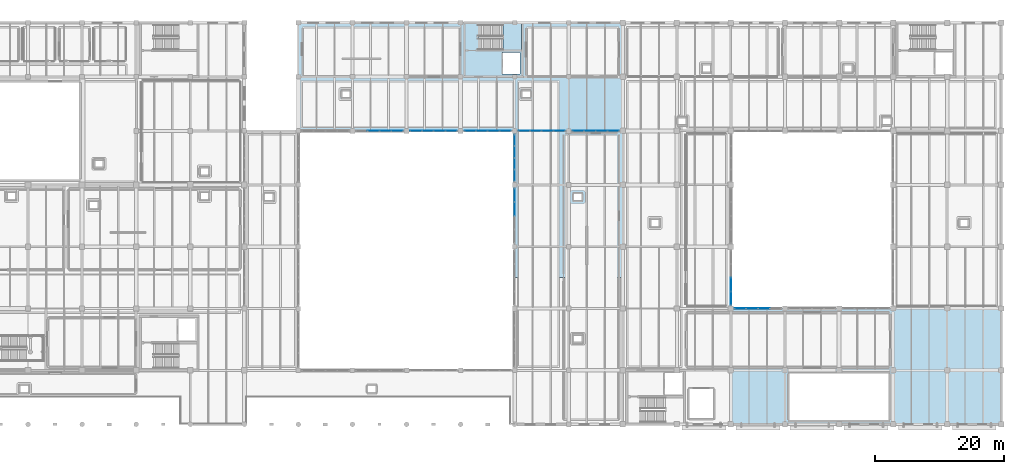
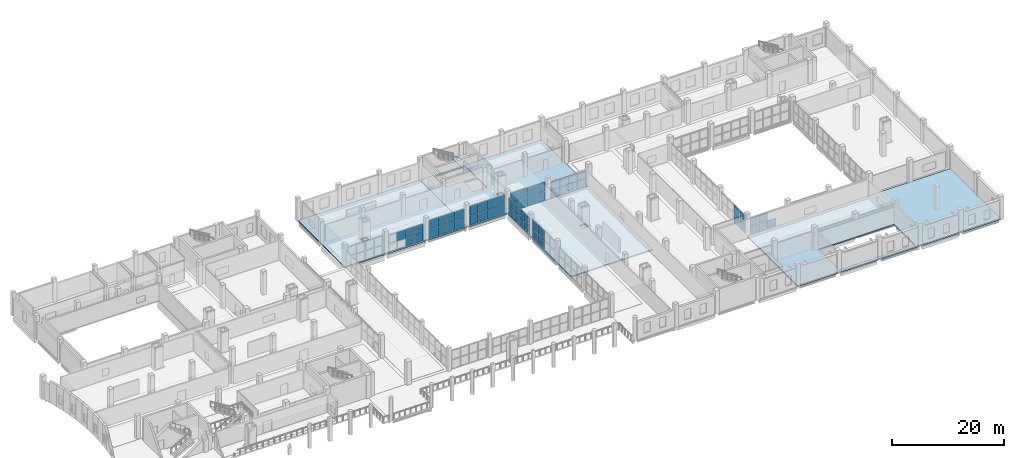
# One storey, part 41 of 66: 58 plates, 5 slabs, 10 elements without a shape of their own.
"""IFC4 building model written with IfcOpenShell, lengths in metres."""

from ifc_helpers import new_model, si_unit, direction, frame, origin, origin_2d, place, context, subcontext, project, spatial, polyline, rectangle, outline, extrude, material, layer, layer_set, type_object, element, aggregate, save


model = new_model("IFC4")

# Units and contexts
model_context = context("Model", 3, precision=1e-05, world=origin(), true_north=direction((0.0, 1.0)))
body_context = subcontext(model_context, "Body", "Model", "MODEL_VIEW")
ifc_project = project(units=[si_unit("LENGTHUNIT", "METRE"), si_unit("AREAUNIT", "SQUARE_METRE"), si_unit("VOLUMEUNIT", "CUBIC_METRE"), si_unit("PLANEANGLEUNIT", "RADIAN"), si_unit("MASSUNIT", "GRAM", prefix="KILO")], contexts=[model_context])

# Site, building, storey
site_placement = place(None, origin())
site = spatial("IfcSite", under=ifc_project, at=site_placement, CompositionType="ELEMENT")
building_placement = place(site_placement, origin())
building = spatial("IfcBuilding", under=site, at=building_placement, Name="Zulmaris Art Gallery", CompositionType="ELEMENT")
storey_placement = place(building_placement, frame((0.0, 0.0, 5.39990234375)))
storey = spatial("IfcBuildingStorey", under=building, at=storey_placement, Name="L01", CompositionType="ELEMENT", Elevation=5.39990234375)

# Curtain wall, plates
ifc_material_1 = material(Name="Unitised Low-E Gallery Curtain Wall", Category="aluminium")
ifc_layer_1 = layer(ifc_material_1, 0.179931640625)
ifc_layer_set_1 = layer_set([ifc_layer_1], Name="Unitised Low-E Gallery Curtain Wall")
curtain_wall_type_1 = type_object("IfcCurtainWallType", Name="CW-CW01", PredefinedType="NOTDEFINED", material=ifc_layer_set_1)
curtain_wall_1_placement = place(storey_placement, origin())
curtain_wall_1 = element("IfcCurtainWall", 1, at=curtain_wall_1_placement, inside=storey, type_object=curtain_wall_type_1, Name="L01 curtain wall 95", PredefinedType="NOTDEFINED")
ifc_material_2 = material(Name="Triple Solar-Control Laminated Glass", Category="glass")
ifc_layer_2 = layer(ifc_material_2, 0.035888671875)
ifc_layer_set_2 = layer_set([ifc_layer_2], Name="Triple Solar-Control Laminated Glass")
plate_type = type_object("IfcPlateType", Name="CWPAN-GLZ", PredefinedType="CURTAIN_PANEL", material=ifc_layer_set_2)
plate_1_placement = place(storey_placement, frame((102.885009765625, 58.800048828125, 1.922607421875), z_axis=(0.0, 0.0, 1.0), x_axis=(1.0, 0.0, 0.0)))
plate_1 = element("IfcPlate", 2, at=plate_1_placement, type_object=plate_type, Name="CW01 panel 2.2", PredefinedType="CURTAIN_PANEL", context=body_context, shape_type="SweptSolid", body=[
    extrude(rectangle(XDim=1.7548828125, YDim=0.031982421875, at=origin_2d()), origin(), (0.0, 0.0, 1.0), 1.7724609375),
])
plate_2_placement = place(storey_placement, frame((104.715087890625, 58.800048828125, 0.0751953125), z_axis=(0.0, 0.0, 1.0), x_axis=(1.0, 0.0, 0.0)))
plate_2 = element("IfcPlate", 3, at=plate_2_placement, type_object=plate_type, Name="CW01 panel 3.1", PredefinedType="CURTAIN_PANEL", context=body_context, shape_type="SweptSolid", body=[
    extrude(rectangle(XDim=1.7548828125, YDim=0.031982421875, at=origin_2d()), origin(), (0.0, 0.0, 1.0), 1.7724609375),
])
plate_3_placement = place(storey_placement, frame((104.715087890625, 58.800048828125, 1.922607421875), z_axis=(0.0, 0.0, 1.0), x_axis=(1.0, 0.0, 0.0)))
plate_3 = element("IfcPlate", 4, at=plate_3_placement, type_object=plate_type, Name="CW01 panel 3.2", PredefinedType="CURTAIN_PANEL", context=body_context, shape_type="SweptSolid", body=[
    extrude(rectangle(XDim=1.7548828125, YDim=0.031982421875, at=origin_2d()), origin(), (0.0, 0.0, 1.0), 1.7724609375),
])
plate_4_placement = place(storey_placement, frame((106.5263671875, 58.800048828125, 0.0751953125), z_axis=(0.0, 0.0, 1.0), x_axis=(1.0, 0.0, 0.0)))
plate_4 = element("IfcPlate", 5, at=plate_4_placement, type_object=plate_type, Name="CW01 panel 4.1", PredefinedType="CURTAIN_PANEL", context=body_context, shape_type="SweptSolid", body=[
    extrude(rectangle(XDim=1.717529296875, YDim=0.031982421875, at=origin_2d()), origin(), (0.0, 0.0, 1.0), 1.7724609375),
])
plate_5_placement = place(storey_placement, frame((106.5263671875, 58.800048828125, 1.922607421875), z_axis=(0.0, 0.0, 1.0), x_axis=(1.0, 0.0, 0.0)))
plate_5 = element("IfcPlate", 6, at=plate_5_placement, type_object=plate_type, Name="CW01 panel 4.2", PredefinedType="CURTAIN_PANEL", context=body_context, shape_type="SweptSolid", body=[
    extrude(rectangle(XDim=1.717529296875, YDim=0.031982421875, at=origin_2d()), origin(), (0.0, 0.0, 1.0), 1.7724609375),
])
aggregate(curtain_wall_1, [plate_1, plate_2, plate_3, plate_4, plate_5])

curtain_wall_2_placement = place(storey_placement, origin())
curtain_wall_2 = element("IfcCurtainWall", 7, at=curtain_wall_2_placement, inside=storey, type_object=curtain_wall_type_1, Name="L01 curtain wall 96", PredefinedType="NOTDEFINED")
plate_6_placement = place(storey_placement, frame((109.4736328125, 58.800048828125, 0.0751953125), z_axis=(0.0, 0.0, 1.0), x_axis=(1.0, 0.0, 0.0)))
plate_6 = element("IfcPlate", 8, at=plate_6_placement, type_object=plate_type, Name="CW01 panel 1.1", PredefinedType="CURTAIN_PANEL", context=body_context, shape_type="SweptSolid", body=[
    extrude(rectangle(XDim=1.717529296875, YDim=0.031982421875, at=origin_2d()), origin(), (0.0, 0.0, 1.0), 1.922607421875),
])
plate_7_placement = place(storey_placement, frame((109.4736328125, 58.800048828125, 2.07275390625), z_axis=(0.0, 0.0, 1.0), x_axis=(1.0, 0.0, 0.0)))
plate_7 = element("IfcPlate", 9, at=plate_7_placement, type_object=plate_type, Name="CW01 panel 1.2", PredefinedType="CURTAIN_PANEL", context=body_context, shape_type="SweptSolid", body=[
    extrude(rectangle(XDim=1.717529296875, YDim=0.031982421875, at=origin_2d()), origin(), (0.0, 0.0, 1.0), 1.922607421875),
])
plate_8_placement = place(storey_placement, frame((111.284912109375, 58.800048828125, 0.0751953125), z_axis=(0.0, 0.0, 1.0), x_axis=(1.0, 0.0, 0.0)))
plate_8 = element("IfcPlate", 10, at=plate_8_placement, type_object=plate_type, Name="CW01 panel 2.1", PredefinedType="CURTAIN_PANEL", context=body_context, shape_type="SweptSolid", body=[
    extrude(rectangle(XDim=1.7548828125, YDim=0.031982421875, at=origin_2d()), origin(), (0.0, 0.0, 1.0), 1.922607421875),
])
plate_9_placement = place(storey_placement, frame((111.284912109375, 58.800048828125, 2.07275390625), z_axis=(0.0, 0.0, 1.0), x_axis=(1.0, 0.0, 0.0)))
plate_9 = element("IfcPlate", 11, at=plate_9_placement, type_object=plate_type, Name="CW01 panel 2.2", PredefinedType="CURTAIN_PANEL", context=body_context, shape_type="SweptSolid", body=[
    extrude(rectangle(XDim=1.7548828125, YDim=0.031982421875, at=origin_2d()), origin(), (0.0, 0.0, 1.0), 1.922607421875),
])
plate_10_placement = place(storey_placement, frame((113.114990234375, 58.800048828125, 0.0751953125), z_axis=(0.0, 0.0, 1.0), x_axis=(1.0, 0.0, 0.0)))
plate_10 = element("IfcPlate", 12, at=plate_10_placement, type_object=plate_type, Name="CW01 panel 3.1", PredefinedType="CURTAIN_PANEL", context=body_context, shape_type="SweptSolid", body=[
    extrude(rectangle(XDim=1.7548828125, YDim=0.031982421875, at=origin_2d()), origin(), (0.0, 0.0, 1.0), 1.922607421875),
])
plate_11_placement = place(storey_placement, frame((113.114990234375, 58.800048828125, 2.07275390625), z_axis=(0.0, 0.0, 1.0), x_axis=(1.0, 0.0, 0.0)))
plate_11 = element("IfcPlate", 13, at=plate_11_placement, type_object=plate_type, Name="CW01 panel 3.2", PredefinedType="CURTAIN_PANEL", context=body_context, shape_type="SweptSolid", body=[
    extrude(rectangle(XDim=1.7548828125, YDim=0.031982421875, at=origin_2d()), origin(), (0.0, 0.0, 1.0), 1.922607421875),
])
plate_12_placement = place(storey_placement, frame((114.92626953125, 58.800048828125, 0.0751953125), z_axis=(0.0, 0.0, 1.0), x_axis=(1.0, 0.0, 0.0)))
plate_12 = element("IfcPlate", 14, at=plate_12_placement, type_object=plate_type, Name="CW01 panel 4.1", PredefinedType="CURTAIN_PANEL", context=body_context, shape_type="SweptSolid", body=[
    extrude(rectangle(XDim=1.717529296875, YDim=0.031982421875, at=origin_2d()), origin(), (0.0, 0.0, 1.0), 1.922607421875),
])
plate_13_placement = place(storey_placement, frame((114.92626953125, 58.800048828125, 2.07275390625), z_axis=(0.0, 0.0, 1.0), x_axis=(1.0, 0.0, 0.0)))
plate_13 = element("IfcPlate", 15, at=plate_13_placement, type_object=plate_type, Name="CW01 panel 4.2", PredefinedType="CURTAIN_PANEL", context=body_context, shape_type="SweptSolid", body=[
    extrude(rectangle(XDim=1.717529296875, YDim=0.031982421875, at=origin_2d()), origin(), (0.0, 0.0, 1.0), 1.922607421875),
])
aggregate(curtain_wall_2, [plate_6, plate_7, plate_8, plate_9, plate_10, plate_11, plate_12, plate_13])

curtain_wall_3_placement = place(storey_placement, origin())
curtain_wall_3 = element("IfcCurtainWall", 16, at=curtain_wall_3_placement, inside=storey, type_object=curtain_wall_type_1, Name="L01 curtain wall 97", PredefinedType="NOTDEFINED")
plate_14_placement = place(storey_placement, frame((117.873779296875, 58.800048828125, 0.0751953125), z_axis=(0.0, 0.0, 1.0), x_axis=(1.0, 0.0, 0.0)))
plate_14 = element("IfcPlate", 17, at=plate_14_placement, type_object=plate_type, Name="CW01 panel 1.1", PredefinedType="CURTAIN_PANEL", context=body_context, shape_type="SweptSolid", body=[
    extrude(rectangle(XDim=1.717529296875, YDim=0.031982421875, at=origin_2d()), origin(), (0.0, 0.0, 1.0), 2.00244140625),
])
plate_15_placement = place(storey_placement, frame((117.873779296875, 58.800048828125, 2.152587890625), z_axis=(0.0, 0.0, 1.0), x_axis=(1.0, 0.0, 0.0)))
plate_15 = element("IfcPlate", 18, at=plate_15_placement, type_object=plate_type, Name="CW01 panel 1.2", PredefinedType="CURTAIN_PANEL", context=body_context, shape_type="SweptSolid", body=[
    extrude(rectangle(XDim=1.717529296875, YDim=0.031982421875, at=origin_2d()), origin(), (0.0, 0.0, 1.0), 2.00244140625),
])
plate_16_placement = place(storey_placement, frame((119.68505859375, 58.800048828125, 0.0751953125), z_axis=(0.0, 0.0, 1.0), x_axis=(1.0, 0.0, 0.0)))
plate_16 = element("IfcPlate", 19, at=plate_16_placement, type_object=plate_type, Name="CW01 panel 2.1", PredefinedType="CURTAIN_PANEL", context=body_context, shape_type="SweptSolid", body=[
    extrude(rectangle(XDim=1.7548828125, YDim=0.031982421875, at=origin_2d()), origin(), (0.0, 0.0, 1.0), 2.00244140625),
])
plate_17_placement = place(storey_placement, frame((119.68505859375, 58.800048828125, 2.152587890625), z_axis=(0.0, 0.0, 1.0), x_axis=(1.0, 0.0, 0.0)))
plate_17 = element("IfcPlate", 20, at=plate_17_placement, type_object=plate_type, Name="CW01 panel 2.2", PredefinedType="CURTAIN_PANEL", context=body_context, shape_type="SweptSolid", body=[
    extrude(rectangle(XDim=1.7548828125, YDim=0.031982421875, at=origin_2d()), origin(), (0.0, 0.0, 1.0), 2.00244140625),
])
plate_18_placement = place(storey_placement, frame((121.514892578125, 58.800048828125, 0.0751953125), z_axis=(0.0, 0.0, 1.0), x_axis=(1.0, 0.0, 0.0)))
plate_18 = element("IfcPlate", 21, at=plate_18_placement, type_object=plate_type, Name="CW01 panel 3.1", PredefinedType="CURTAIN_PANEL", context=body_context, shape_type="SweptSolid", body=[
    extrude(rectangle(XDim=1.7548828125, YDim=0.031982421875, at=origin_2d()), origin(), (0.0, 0.0, 1.0), 2.00244140625),
])
plate_19_placement = place(storey_placement, frame((121.514892578125, 58.800048828125, 2.152587890625), z_axis=(0.0, 0.0, 1.0), x_axis=(1.0, 0.0, 0.0)))
plate_19 = element("IfcPlate", 22, at=plate_19_placement, type_object=plate_type, Name="CW01 panel 3.2", PredefinedType="CURTAIN_PANEL", context=body_context, shape_type="SweptSolid", body=[
    extrude(rectangle(XDim=1.7548828125, YDim=0.031982421875, at=origin_2d()), origin(), (0.0, 0.0, 1.0), 2.00244140625),
])
plate_20_placement = place(storey_placement, frame((123.326171875, 58.800048828125, 0.0751953125), z_axis=(0.0, 0.0, 1.0), x_axis=(1.0, 0.0, 0.0)))
plate_20 = element("IfcPlate", 23, at=plate_20_placement, type_object=plate_type, Name="CW01 panel 4.1", PredefinedType="CURTAIN_PANEL", context=body_context, shape_type="SweptSolid", body=[
    extrude(rectangle(XDim=1.717529296875, YDim=0.031982421875, at=origin_2d()), origin(), (0.0, 0.0, 1.0), 2.00244140625),
])
plate_21_placement = place(storey_placement, frame((123.326171875, 58.800048828125, 2.152587890625), z_axis=(0.0, 0.0, 1.0), x_axis=(1.0, 0.0, 0.0)))
plate_21 = element("IfcPlate", 24, at=plate_21_placement, type_object=plate_type, Name="CW01 panel 4.2", PredefinedType="CURTAIN_PANEL", context=body_context, shape_type="SweptSolid", body=[
    extrude(rectangle(XDim=1.717529296875, YDim=0.031982421875, at=origin_2d()), origin(), (0.0, 0.0, 1.0), 2.00244140625),
])
aggregate(curtain_wall_3, [plate_14, plate_15, plate_16, plate_17, plate_18, plate_19, plate_20, plate_21])

curtain_wall_4_placement = place(storey_placement, origin())
curtain_wall_4 = element("IfcCurtainWall", 25, at=curtain_wall_4_placement, inside=storey, type_object=curtain_wall_type_1, Name="L01 curtain wall 98", PredefinedType="NOTDEFINED")
plate_22_placement = place(storey_placement, frame((126.273681640625, 58.800048828125, 0.0751953125), z_axis=(0.0, 0.0, 1.0), x_axis=(1.0, 0.0, 0.0)))
plate_22 = element("IfcPlate", 26, at=plate_22_placement, type_object=plate_type, Name="CW01 panel 1.1", PredefinedType="CURTAIN_PANEL", context=body_context, shape_type="SweptSolid", body=[
    extrude(rectangle(XDim=1.717529296875, YDim=0.031982421875, at=origin_2d()), origin(), (0.0, 0.0, 1.0), 1.972412109375),
])
plate_23_placement = place(storey_placement, frame((126.273681640625, 58.800048828125, 2.12255859375), z_axis=(0.0, 0.0, 1.0), x_axis=(1.0, 0.0, 0.0)))
plate_23 = element("IfcPlate", 27, at=plate_23_placement, type_object=plate_type, Name="CW01 panel 1.2", PredefinedType="CURTAIN_PANEL", context=body_context, shape_type="SweptSolid", body=[
    extrude(rectangle(XDim=1.717529296875, YDim=0.031982421875, at=origin_2d()), origin(), (0.0, 0.0, 1.0), 1.972412109375),
])
plate_24_placement = place(storey_placement, frame((128.0849609375, 58.800048828125, 0.0751953125), z_axis=(0.0, 0.0, 1.0), x_axis=(1.0, 0.0, 0.0)))
plate_24 = element("IfcPlate", 28, at=plate_24_placement, type_object=plate_type, Name="CW01 panel 2.1", PredefinedType="CURTAIN_PANEL", context=body_context, shape_type="SweptSolid", body=[
    extrude(rectangle(XDim=1.7548828125, YDim=0.031982421875, at=origin_2d()), origin(), (0.0, 0.0, 1.0), 1.972412109375),
])
plate_25_placement = place(storey_placement, frame((128.0849609375, 58.800048828125, 2.12255859375), z_axis=(0.0, 0.0, 1.0), x_axis=(1.0, 0.0, 0.0)))
plate_25 = element("IfcPlate", 29, at=plate_25_placement, type_object=plate_type, Name="CW01 panel 2.2", PredefinedType="CURTAIN_PANEL", context=body_context, shape_type="SweptSolid", body=[
    extrude(rectangle(XDim=1.7548828125, YDim=0.031982421875, at=origin_2d()), origin(), (0.0, 0.0, 1.0), 1.972412109375),
])
plate_26_placement = place(storey_placement, frame((129.9150390625, 58.800048828125, 0.0751953125), z_axis=(0.0, 0.0, 1.0), x_axis=(1.0, 0.0, 0.0)))
plate_26 = element("IfcPlate", 30, at=plate_26_placement, type_object=plate_type, Name="CW01 panel 3.1", PredefinedType="CURTAIN_PANEL", context=body_context, shape_type="SweptSolid", body=[
    extrude(rectangle(XDim=1.7548828125, YDim=0.031982421875, at=origin_2d()), origin(), (0.0, 0.0, 1.0), 1.972412109375),
])
plate_27_placement = place(storey_placement, frame((129.9150390625, 58.800048828125, 2.12255859375), z_axis=(0.0, 0.0, 1.0), x_axis=(1.0, 0.0, 0.0)))
plate_27 = element("IfcPlate", 31, at=plate_27_placement, type_object=plate_type, Name="CW01 panel 3.2", PredefinedType="CURTAIN_PANEL", context=body_context, shape_type="SweptSolid", body=[
    extrude(rectangle(XDim=1.7548828125, YDim=0.031982421875, at=origin_2d()), origin(), (0.0, 0.0, 1.0), 1.972412109375),
])
plate_28_placement = place(storey_placement, frame((131.726318359375, 58.800048828125, 0.0751953125), z_axis=(0.0, 0.0, 1.0), x_axis=(1.0, 0.0, 0.0)))
plate_28 = element("IfcPlate", 32, at=plate_28_placement, type_object=plate_type, Name="CW01 panel 4.1", PredefinedType="CURTAIN_PANEL", context=body_context, shape_type="SweptSolid", body=[
    extrude(rectangle(XDim=1.717529296875, YDim=0.031982421875, at=origin_2d()), origin(), (0.0, 0.0, 1.0), 1.972412109375),
])
plate_29_placement = place(storey_placement, frame((131.726318359375, 58.800048828125, 2.12255859375), z_axis=(0.0, 0.0, 1.0), x_axis=(1.0, 0.0, 0.0)))
plate_29 = element("IfcPlate", 33, at=plate_29_placement, type_object=plate_type, Name="CW01 panel 4.2", PredefinedType="CURTAIN_PANEL", context=body_context, shape_type="SweptSolid", body=[
    extrude(rectangle(XDim=1.717529296875, YDim=0.031982421875, at=origin_2d()), origin(), (0.0, 0.0, 1.0), 1.972412109375),
])
aggregate(curtain_wall_4, [plate_22, plate_23, plate_24, plate_25, plate_26, plate_27, plate_28, plate_29])

curtain_wall_5_placement = place(storey_placement, origin())
curtain_wall_5 = element("IfcCurtainWall", 34, at=curtain_wall_5_placement, inside=storey, type_object=curtain_wall_type_1, Name="L01 curtain wall 99", PredefinedType="NOTDEFINED")
plate_30_placement = place(storey_placement, frame((134.673828125, 58.800048828125, 0.0751953125), z_axis=(0.0, 0.0, 1.0), x_axis=(1.0, 0.0, 0.0)))
plate_30 = element("IfcPlate", 35, at=plate_30_placement, type_object=plate_type, Name="CW01 panel 1.1", PredefinedType="CURTAIN_PANEL", context=body_context, shape_type="SweptSolid", body=[
    extrude(rectangle(XDim=1.717529296875, YDim=0.031982421875, at=origin_2d()), origin(), (0.0, 0.0, 1.0), 1.7724609375),
])
plate_31_placement = place(storey_placement, frame((134.673828125, 58.800048828125, 1.922607421875), z_axis=(0.0, 0.0, 1.0), x_axis=(1.0, 0.0, 0.0)))
plate_31 = element("IfcPlate", 36, at=plate_31_placement, type_object=plate_type, Name="CW01 panel 1.2", PredefinedType="CURTAIN_PANEL", context=body_context, shape_type="SweptSolid", body=[
    extrude(rectangle(XDim=1.717529296875, YDim=0.031982421875, at=origin_2d()), origin(), (0.0, 0.0, 1.0), 1.7724609375),
])
plate_32_placement = place(storey_placement, frame((136.485107421875, 58.800048828125, 0.0751953125), z_axis=(0.0, 0.0, 1.0), x_axis=(1.0, 0.0, 0.0)))
plate_32 = element("IfcPlate", 37, at=plate_32_placement, type_object=plate_type, Name="CW01 panel 2.1", PredefinedType="CURTAIN_PANEL", context=body_context, shape_type="SweptSolid", body=[
    extrude(rectangle(XDim=1.7548828125, YDim=0.031982421875, at=origin_2d()), origin(), (0.0, 0.0, 1.0), 1.7724609375),
])
plate_33_placement = place(storey_placement, frame((136.485107421875, 58.800048828125, 1.922607421875), z_axis=(0.0, 0.0, 1.0), x_axis=(1.0, 0.0, 0.0)))
plate_33 = element("IfcPlate", 38, at=plate_33_placement, type_object=plate_type, Name="CW01 panel 2.2", PredefinedType="CURTAIN_PANEL", context=body_context, shape_type="SweptSolid", body=[
    extrude(rectangle(XDim=1.7548828125, YDim=0.031982421875, at=origin_2d()), origin(), (0.0, 0.0, 1.0), 1.7724609375),
])
plate_34_placement = place(storey_placement, frame((138.31494140625, 58.800048828125, 0.0751953125), z_axis=(0.0, 0.0, 1.0), x_axis=(1.0, 0.0, 0.0)))
plate_34 = element("IfcPlate", 39, at=plate_34_placement, type_object=plate_type, Name="CW01 panel 3.1", PredefinedType="CURTAIN_PANEL", context=body_context, shape_type="SweptSolid", body=[
    extrude(rectangle(XDim=1.7548828125, YDim=0.031982421875, at=origin_2d()), origin(), (0.0, 0.0, 1.0), 1.7724609375),
])
plate_35_placement = place(storey_placement, frame((138.31494140625, 58.800048828125, 1.922607421875), z_axis=(0.0, 0.0, 1.0), x_axis=(1.0, 0.0, 0.0)))
plate_35 = element("IfcPlate", 40, at=plate_35_placement, type_object=plate_type, Name="CW01 panel 3.2", PredefinedType="CURTAIN_PANEL", context=body_context, shape_type="SweptSolid", body=[
    extrude(rectangle(XDim=1.7548828125, YDim=0.031982421875, at=origin_2d()), origin(), (0.0, 0.0, 1.0), 1.7724609375),
])
plate_36_placement = place(storey_placement, frame((140.126220703125, 58.800048828125, 0.0751953125), z_axis=(0.0, 0.0, 1.0), x_axis=(1.0, 0.0, 0.0)))
plate_36 = element("IfcPlate", 41, at=plate_36_placement, type_object=plate_type, Name="CW01 panel 4.1", PredefinedType="CURTAIN_PANEL", context=body_context, shape_type="SweptSolid", body=[
    extrude(rectangle(XDim=1.717529296875, YDim=0.031982421875, at=origin_2d()), origin(), (0.0, 0.0, 1.0), 1.7724609375),
])
plate_37_placement = place(storey_placement, frame((140.126220703125, 58.800048828125, 1.922607421875), z_axis=(0.0, 0.0, 1.0), x_axis=(1.0, 0.0, 0.0)))
plate_37 = element("IfcPlate", 42, at=plate_37_placement, type_object=plate_type, Name="CW01 panel 4.2", PredefinedType="CURTAIN_PANEL", context=body_context, shape_type="SweptSolid", body=[
    extrude(rectangle(XDim=1.717529296875, YDim=0.031982421875, at=origin_2d()), origin(), (0.0, 0.0, 1.0), 1.7724609375),
])
aggregate(curtain_wall_5, [plate_30, plate_31, plate_32, plate_33, plate_34, plate_35, plate_36, plate_37])

curtain_wall_6_placement = place(storey_placement, origin())
curtain_wall_6 = element("IfcCurtainWall", 43, at=curtain_wall_6_placement, inside=storey, type_object=curtain_wall_type_1, Name="L01 curtain wall 102", PredefinedType="NOTDEFINED")
plate_38_placement = place(storey_placement, frame((124.800048828125, 46.6650390625, 0.0751953125), z_axis=(0.0, 0.0, 1.0), x_axis=(0.0, 1.0, 0.0)))
plate_38 = element("IfcPlate", 44, at=plate_38_placement, type_object=plate_type, Name="CW01 panel 3.1", PredefinedType="CURTAIN_PANEL", context=body_context, shape_type="SweptSolid", body=[
    extrude(rectangle(XDim=2.054931640625, YDim=0.031982421875, at=origin_2d()), origin(), (0.0, 0.0, 1.0), 1.972412109375),
])
plate_39_placement = place(storey_placement, frame((124.800048828125, 46.6650390625, 2.12255859375), z_axis=(0.0, 0.0, 1.0), x_axis=(0.0, 1.0, 0.0)))
plate_39 = element("IfcPlate", 45, at=plate_39_placement, type_object=plate_type, Name="CW01 panel 3.2", PredefinedType="CURTAIN_PANEL", context=body_context, shape_type="SweptSolid", body=[
    extrude(rectangle(XDim=2.054931640625, YDim=0.031982421875, at=origin_2d()), origin(), (0.0, 0.0, 1.0), 1.972412109375),
])
plate_40_placement = place(storey_placement, frame((124.800048828125, 48.7763671875, 0.0751953125), z_axis=(0.0, 0.0, 1.0), x_axis=(0.0, 1.0, 0.0)))
plate_40 = element("IfcPlate", 46, at=plate_40_placement, type_object=plate_type, Name="CW01 panel 4.1", PredefinedType="CURTAIN_PANEL", context=body_context, shape_type="SweptSolid", body=[
    extrude(rectangle(XDim=2.017578125, YDim=0.031982421875, at=origin_2d()), origin(), (0.0, 0.0, 1.0), 1.972412109375),
])
plate_41_placement = place(storey_placement, frame((124.800048828125, 48.7763671875, 2.12255859375), z_axis=(0.0, 0.0, 1.0), x_axis=(0.0, 1.0, 0.0)))
plate_41 = element("IfcPlate", 47, at=plate_41_placement, type_object=plate_type, Name="CW01 panel 4.2", PredefinedType="CURTAIN_PANEL", context=body_context, shape_type="SweptSolid", body=[
    extrude(rectangle(XDim=2.017578125, YDim=0.031982421875, at=origin_2d()), origin(), (0.0, 0.0, 1.0), 1.972412109375),
])
aggregate(curtain_wall_6, [plate_38, plate_39, plate_40, plate_41])

curtain_wall_7_placement = place(storey_placement, origin())
curtain_wall_7 = element("IfcCurtainWall", 48, at=curtain_wall_7_placement, inside=storey, type_object=curtain_wall_type_1, Name="L01 curtain wall 103", PredefinedType="NOTDEFINED")
plate_42_placement = place(storey_placement, frame((124.800048828125, 51.873779296875, 0.0751953125), z_axis=(0.0, 0.0, 1.0), x_axis=(0.0, 1.0, 0.0)))
plate_42 = element("IfcPlate", 49, at=plate_42_placement, type_object=plate_type, Name="CW01 panel 1.1", PredefinedType="CURTAIN_PANEL", context=body_context, shape_type="SweptSolid", body=[
    extrude(rectangle(XDim=1.717529296875, YDim=0.031982421875, at=origin_2d()), origin(), (0.0, 0.0, 1.0), 1.7724609375),
])
plate_43_placement = place(storey_placement, frame((124.800048828125, 51.873779296875, 1.922607421875), z_axis=(0.0, 0.0, 1.0), x_axis=(0.0, 1.0, 0.0)))
plate_43 = element("IfcPlate", 50, at=plate_43_placement, type_object=plate_type, Name="CW01 panel 1.2", PredefinedType="CURTAIN_PANEL", context=body_context, shape_type="SweptSolid", body=[
    extrude(rectangle(XDim=1.717529296875, YDim=0.031982421875, at=origin_2d()), origin(), (0.0, 0.0, 1.0), 1.7724609375),
])
plate_44_placement = place(storey_placement, frame((124.800048828125, 53.68505859375, 0.0751953125), z_axis=(0.0, 0.0, 1.0), x_axis=(0.0, 1.0, 0.0)))
plate_44 = element("IfcPlate", 51, at=plate_44_placement, type_object=plate_type, Name="CW01 panel 2.1", PredefinedType="CURTAIN_PANEL", context=body_context, shape_type="SweptSolid", body=[
    extrude(rectangle(XDim=1.7548828125, YDim=0.031982421875, at=origin_2d()), origin(), (0.0, 0.0, 1.0), 1.7724609375),
])
plate_45_placement = place(storey_placement, frame((124.800048828125, 53.68505859375, 1.922607421875), z_axis=(0.0, 0.0, 1.0), x_axis=(0.0, 1.0, 0.0)))
plate_45 = element("IfcPlate", 52, at=plate_45_placement, type_object=plate_type, Name="CW01 panel 2.2", PredefinedType="CURTAIN_PANEL", context=body_context, shape_type="SweptSolid", body=[
    extrude(rectangle(XDim=1.7548828125, YDim=0.031982421875, at=origin_2d()), origin(), (0.0, 0.0, 1.0), 1.7724609375),
])
plate_46_placement = place(storey_placement, frame((124.800048828125, 55.514892578125, 0.0751953125), z_axis=(0.0, 0.0, 1.0), x_axis=(0.0, 1.0, 0.0)))
plate_46 = element("IfcPlate", 53, at=plate_46_placement, type_object=plate_type, Name="CW01 panel 3.1", PredefinedType="CURTAIN_PANEL", context=body_context, shape_type="SweptSolid", body=[
    extrude(rectangle(XDim=1.7548828125, YDim=0.031982421875, at=origin_2d()), origin(), (0.0, 0.0, 1.0), 1.7724609375),
])
plate_47_placement = place(storey_placement, frame((124.800048828125, 55.514892578125, 1.922607421875), z_axis=(0.0, 0.0, 1.0), x_axis=(0.0, 1.0, 0.0)))
plate_47 = element("IfcPlate", 54, at=plate_47_placement, type_object=plate_type, Name="CW01 panel 3.2", PredefinedType="CURTAIN_PANEL", context=body_context, shape_type="SweptSolid", body=[
    extrude(rectangle(XDim=1.7548828125, YDim=0.031982421875, at=origin_2d()), origin(), (0.0, 0.0, 1.0), 1.7724609375),
])
plate_48_placement = place(storey_placement, frame((124.800048828125, 57.326171875, 0.0751953125), z_axis=(0.0, 0.0, 1.0), x_axis=(0.0, 1.0, 0.0)))
plate_48 = element("IfcPlate", 55, at=plate_48_placement, type_object=plate_type, Name="CW01 panel 4.1", PredefinedType="CURTAIN_PANEL", context=body_context, shape_type="SweptSolid", body=[
    extrude(rectangle(XDim=1.717529296875, YDim=0.031982421875, at=origin_2d()), origin(), (0.0, 0.0, 1.0), 1.7724609375),
])
plate_49_placement = place(storey_placement, frame((124.800048828125, 57.326171875, 1.922607421875), z_axis=(0.0, 0.0, 1.0), x_axis=(0.0, 1.0, 0.0)))
plate_49 = element("IfcPlate", 56, at=plate_49_placement, type_object=plate_type, Name="CW01 panel 4.2", PredefinedType="CURTAIN_PANEL", context=body_context, shape_type="SweptSolid", body=[
    extrude(rectangle(XDim=1.717529296875, YDim=0.031982421875, at=origin_2d()), origin(), (0.0, 0.0, 1.0), 1.7724609375),
])
aggregate(curtain_wall_7, [plate_42, plate_43, plate_44, plate_45, plate_46, plate_47, plate_48, plate_49])

ifc_material_3 = material(Name="Courtyard Artists Studio Curtain Wall", Category="aluminium")
ifc_layer_3 = layer(ifc_material_3, 0.179931640625)
ifc_layer_set_3 = layer_set([ifc_layer_3], Name="Courtyard Artists Studio Curtain Wall")
curtain_wall_type_2 = type_object("IfcCurtainWallType", Name="CW-CW04", PredefinedType="NOTDEFINED", material=ifc_layer_set_3)
curtain_wall_8_placement = place(storey_placement, origin())
curtain_wall_8 = element("IfcCurtainWall", 57, at=curtain_wall_8_placement, inside=storey, type_object=curtain_wall_type_2, Name="L01 curtain wall 123", PredefinedType="NOTDEFINED")
plate_50_placement = place(storey_placement, frame((158.39990234375, 32.82373046875, 0.0751953125), z_axis=(0.0, 0.0, 1.0), x_axis=(0.0, 1.0, 0.0)))
plate_50 = element("IfcPlate", 58, at=plate_50_placement, type_object=plate_type, Name="CW04 panel 1.1", PredefinedType="CURTAIN_PANEL", context=body_context, shape_type="SweptSolid", body=[
    extrude(rectangle(XDim=2.017578125, YDim=0.031982421875, at=origin_2d()), origin(), (0.0, 0.0, 1.0), 1.922607421875),
])
plate_51_placement = place(storey_placement, frame((158.39990234375, 32.82373046875, 2.07275390625), z_axis=(0.0, 0.0, 1.0), x_axis=(0.0, 1.0, 0.0)))
plate_51 = element("IfcPlate", 59, at=plate_51_placement, type_object=plate_type, Name="CW04 panel 1.2", PredefinedType="CURTAIN_PANEL", context=body_context, shape_type="SweptSolid", body=[
    extrude(rectangle(XDim=2.017578125, YDim=0.031982421875, at=origin_2d()), origin(), (0.0, 0.0, 1.0), 1.922607421875),
])
plate_52_placement = place(storey_placement, frame((158.39990234375, 34.93505859375, 0.0751953125), z_axis=(0.0, 0.0, 1.0), x_axis=(0.0, 1.0, 0.0)))
plate_52 = element("IfcPlate", 60, at=plate_52_placement, type_object=plate_type, Name="CW04 panel 2.1", PredefinedType="CURTAIN_PANEL", context=body_context, shape_type="SweptSolid", body=[
    extrude(rectangle(XDim=2.054931640625, YDim=0.031982421875, at=origin_2d()), origin(), (0.0, 0.0, 1.0), 1.922607421875),
])
plate_53_placement = place(storey_placement, frame((158.39990234375, 34.93505859375, 2.07275390625), z_axis=(0.0, 0.0, 1.0), x_axis=(0.0, 1.0, 0.0)))
plate_53 = element("IfcPlate", 61, at=plate_53_placement, type_object=plate_type, Name="CW04 panel 2.2", PredefinedType="CURTAIN_PANEL", context=body_context, shape_type="SweptSolid", body=[
    extrude(rectangle(XDim=2.054931640625, YDim=0.031982421875, at=origin_2d()), origin(), (0.0, 0.0, 1.0), 1.922607421875),
])
aggregate(curtain_wall_8, [plate_50, plate_51, plate_52, plate_53])

curtain_wall_9_placement = place(storey_placement, origin())
curtain_wall_9 = element("IfcCurtainWall", 62, at=curtain_wall_9_placement, inside=storey, type_object=curtain_wall_type_2, Name="L01 curtain wall 130", PredefinedType="NOTDEFINED")
plate_54_placement = place(storey_placement, frame((159.873779296875, 31.199951171875, 0.0751953125), z_axis=(0.0, 0.0, 1.0), x_axis=(1.0, 0.0, 0.0)))
plate_54 = element("IfcPlate", 63, at=plate_54_placement, type_object=plate_type, Name="CW04 panel 1.1", PredefinedType="CURTAIN_PANEL", context=body_context, shape_type="SweptSolid", body=[
    extrude(rectangle(XDim=1.717529296875, YDim=0.031982421875, at=origin_2d()), origin(), (0.0, 0.0, 1.0), 1.7724609375),
])
plate_55_placement = place(storey_placement, frame((159.873779296875, 31.199951171875, 1.922607421875), z_axis=(0.0, 0.0, 1.0), x_axis=(1.0, 0.0, 0.0)))
plate_55 = element("IfcPlate", 64, at=plate_55_placement, type_object=plate_type, Name="CW04 panel 1.2", PredefinedType="CURTAIN_PANEL", context=body_context, shape_type="SweptSolid", body=[
    extrude(rectangle(XDim=1.717529296875, YDim=0.031982421875, at=origin_2d()), origin(), (0.0, 0.0, 1.0), 1.7724609375),
])
plate_56_placement = place(storey_placement, frame((161.68505859375, 31.199951171875, 0.0751953125), z_axis=(0.0, 0.0, 1.0), x_axis=(1.0, 0.0, 0.0)))
plate_56 = element("IfcPlate", 65, at=plate_56_placement, type_object=plate_type, Name="CW04 panel 2.1", PredefinedType="CURTAIN_PANEL", context=body_context, shape_type="SweptSolid", body=[
    extrude(rectangle(XDim=1.7548828125, YDim=0.031982421875, at=origin_2d()), origin(), (0.0, 0.0, 1.0), 1.7724609375),
])
plate_57_placement = place(storey_placement, frame((161.68505859375, 31.199951171875, 1.922607421875), z_axis=(0.0, 0.0, 1.0), x_axis=(1.0, 0.0, 0.0)))
plate_57 = element("IfcPlate", 66, at=plate_57_placement, type_object=plate_type, Name="CW04 panel 2.2", PredefinedType="CURTAIN_PANEL", context=body_context, shape_type="SweptSolid", body=[
    extrude(rectangle(XDim=1.7548828125, YDim=0.031982421875, at=origin_2d()), origin(), (0.0, 0.0, 1.0), 1.7724609375),
])
plate_58_placement = place(storey_placement, frame((163.514892578125, 31.199951171875, 0.0751953125), z_axis=(0.0, 0.0, 1.0), x_axis=(1.0, 0.0, 0.0)))
plate_58 = element("IfcPlate", 67, at=plate_58_placement, type_object=plate_type, Name="CW04 panel 3.1", PredefinedType="CURTAIN_PANEL", context=body_context, shape_type="SweptSolid", body=[
    extrude(rectangle(XDim=1.7548828125, YDim=0.031982421875, at=origin_2d()), origin(), (0.0, 0.0, 1.0), 1.7724609375),
])
aggregate(curtain_wall_9, [plate_54, plate_55, plate_56, plate_57, plate_58])

# Slabs
ifc_material_4 = material(Name="Concrete C40/50", Category="concrete")
ifc_layer_4 = layer(ifc_material_4, 0.280029296875)
ifc_layer_set_4 = layer_set([ifc_layer_4], Name="Concrete C40/50")
slab_type_1 = type_object("IfcSlabType", Name="SLAB-SL-FL02", PredefinedType="FLOOR", material=ifc_layer_set_4)
slab_1_placement = place(storey_placement, frame((0.0, 0.0, -0.27978515625)))
element("IfcSlab", 68, at=slab_1_placement, inside=storey, type_object=slab_type_1, Name="L01 V4-NW slab", PredefinedType="FLOOR", context=body_context, shape_type="SweptSolid", body=[
    extrude(outline(polyline([(91.199951171875, 58.800048828125), (91.199951171875, 75.60009765625), (116.39990234375, 75.60009765625), (116.39990234375, 58.800048828125), (91.199951171875, 58.800048828125)]), holes=[polyline([(98.0, 64.0), (99.199951171875, 64.0), (99.199951171875, 65.0), (98.0, 65.0), (98.0, 64.0)])]), origin(), (0.0, 0.0, 1.0), 0.27978515625),
])
slab_2_placement = place(storey_placement, frame((0.0, 0.0, -0.27978515625)))
element("IfcSlab", 69, at=slab_2_placement, inside=storey, type_object=slab_type_1, Name="L01 V4-NE slab", PredefinedType="FLOOR", context=body_context, shape_type="SweptSolid", body=[
    extrude(outline(polyline([(116.39990234375, 58.800048828125), (116.39990234375, 75.60009765625), (141.60009765625, 75.60009765625), (141.60009765625, 58.800048828125), (116.39990234375, 58.800048828125)]), holes=[polyline([(127.199951171875, 64.0), (127.199951171875, 65.0), (126.0, 65.0), (126.0, 64.0), (127.199951171875, 64.0)]), polyline([(125.64990234375, 67.64990234375), (125.64990234375, 70.97998046875), (122.85009765625, 70.97998046875), (122.85009765625, 67.64990234375), (125.64990234375, 67.64990234375)]), polyline([(119.260009765625, 75.25), (119.260009765625, 71.409912109375), (125.64990234375, 71.409912109375), (125.64990234375, 75.25), (119.260009765625, 75.25)])]), origin(), (0.0, 0.0, 1.0), 0.27978515625),
])
slab_3_placement = place(storey_placement, frame((0.0, 0.0, -0.27978515625)))
element("IfcSlab", 70, at=slab_3_placement, inside=storey, type_object=slab_type_1, Name="L01 V4-EN slab", PredefinedType="FLOOR", context=body_context, shape_type="SweptSolid", body=[
    extrude(outline(polyline([(124.800048828125, 36.0), (124.800048828125, 58.800048828125), (141.60009765625, 58.800048828125), (141.60009765625, 36.0), (124.800048828125, 36.0)]), holes=[polyline([(134.0, 48.0), (135.199951171875, 48.0), (135.199951171875, 49.0), (134.0, 49.0), (134.0, 48.0)])]), origin(), (0.0, 0.0, 1.0), 0.27978515625),
])
slab_4_placement = place(storey_placement, frame((0.0, 0.0, -0.27978515625)))
element("IfcSlab", 71, at=slab_4_placement, inside=storey, type_object=slab_type_1, Name="L01 V5-SE slab", PredefinedType="FLOOR", context=body_context, shape_type="SweptSolid", body=[
    extrude(outline(polyline([(158.39990234375, 13.199951171875), (158.39990234375, 31.199951171875), (183.60009765625, 31.199951171875), (200.39990234375, 31.199951171875), (200.39990234375, 13.199951171875), (158.39990234375, 13.199951171875)]), holes=[polyline([(183.0, 13.800048828125), (183.0, 21.199951171875), (167.39990234375, 21.199951171875), (167.39990234375, 13.800048828125), (183.0, 13.800048828125)])]), origin(), (0.0, 0.0, 1.0), 0.27978515625),
])

# Stair, slab
stair_type = type_object("IfcStairType", Name="STAIR-CORE", PredefinedType="HALF_TURN_STAIR", material=ifc_material_4)
stair_placement = place(storey_placement, origin())
stair = element("IfcStair", 72, at=stair_placement, inside=storey, type_object=stair_type, Name="L01 Exit Stair ST5", PredefinedType="HALF_TURN_STAIR")
ifc_layer_5 = layer(ifc_material_4, 0.2099609375)
ifc_layer_set_5 = layer_set([ifc_layer_5], Name="Concrete C40/50")
slab_type_2 = type_object("IfcSlabType", Name="SLAB-STLND", PredefinedType="LANDING", material=ifc_layer_set_5)
slab_5_placement = place(storey_placement, frame((0.0, 0.0, 2.35009765625)))
slab_5 = element("IfcSlab", 73, at=slab_5_placement, type_object=slab_type_2, Name="ST5 landing 1", PredefinedType="LANDING", context=body_context, shape_type="SweptSolid", body=[
    extrude(outline(polyline([(123.02001953125, 71.18994140625), (125.85009765625, 71.18994140625), (125.85009765625, 75.469970703125), (123.02001953125, 75.469970703125), (123.02001953125, 71.18994140625)])), origin(), (0.0, 0.0, 1.0), 0.199951171875),
])
aggregate(stair, [slab_5])

save(model, "model.ifc")
